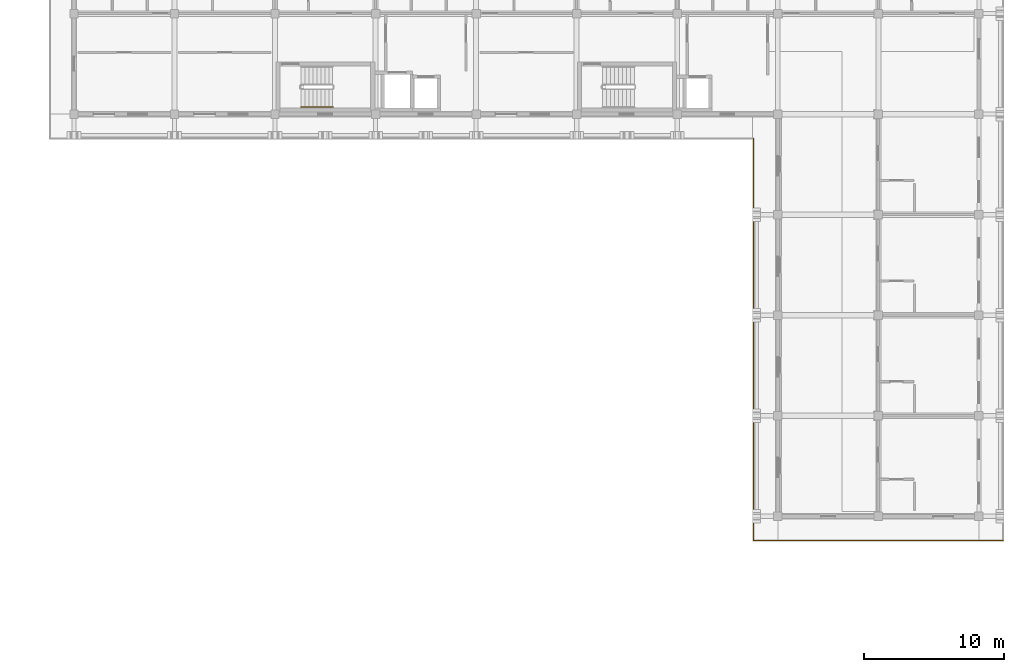
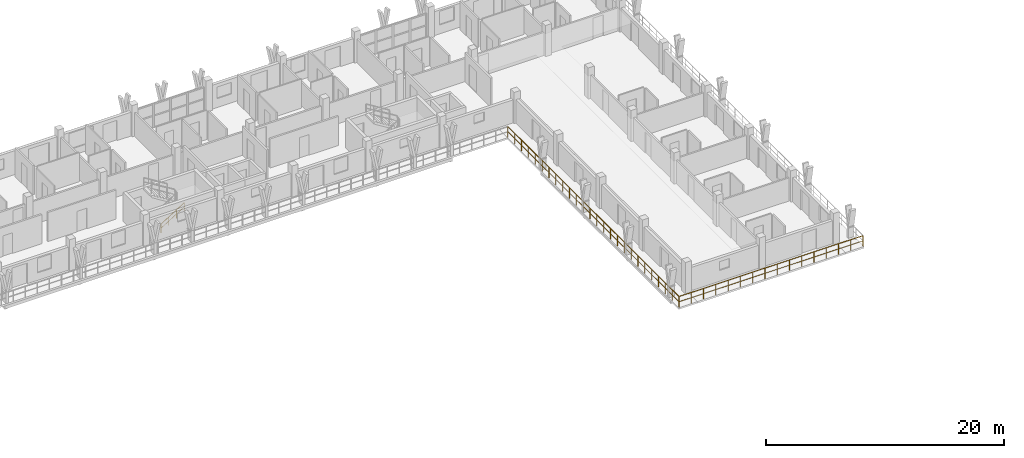
# One storey, part 73 of 76: 3 railings.
"""IFC4 building model written with IfcOpenShell, lengths in metres."""

from ifc_helpers import new_model, si_unit, direction, frame, origin, origin_2d, place, context, subcontext, project, spatial, rectangle, extrude, material, type_object, element, save


model = new_model("IFC4")

# Units and contexts
model_context = context("Model", 3, precision=1e-05, world=origin(), true_north=direction((0.0, 1.0)))
body_context = subcontext(model_context, "Body", "Model", "MODEL_VIEW")
ifc_project = project(units=[si_unit("LENGTHUNIT", "METRE"), si_unit("AREAUNIT", "SQUARE_METRE"), si_unit("VOLUMEUNIT", "CUBIC_METRE"), si_unit("PLANEANGLEUNIT", "RADIAN"), si_unit("MASSUNIT", "GRAM", prefix="KILO")], contexts=[model_context])

# Site, building, storey
site_placement = place(None, origin())
site = spatial("IfcSite", under=ifc_project, at=site_placement, CompositionType="ELEMENT")
building_placement = place(site_placement, origin())
building = spatial("IfcBuilding", under=site, at=building_placement, Name="Suanplinth Sawtooth Commons", CompositionType="ELEMENT")
storey_placement = place(building_placement, frame((0.0, 0.0, 12.199951171875)))
storey = spatial("IfcBuildingStorey", under=building, at=storey_placement, Name="L03", CompositionType="ELEMENT", Elevation=12.199951171875)

# Railings
ifc_material_1 = material(Name="Powder-coated galvanized steel", Category="steel")
railing_type_1 = type_object("IfcRailingType", Name="GR-01", PredefinedType="BALUSTRADE", material=ifc_material_1)
railing_1_placement = place(storey_placement, frame((171.06005859375, 77.4599609375, 0.0)))
element("IfcRailing", 1, at=railing_1_placement, inside=storey, type_object=railing_type_1, Name="L03 Block B Perimeter Balustrade 1", PredefinedType="BALUSTRADE", context=body_context, shape_type="SweptSolid", body=[
    extrude(rectangle(XDim=0.048095703125, YDim=0.048095703125, at=origin_2d()), frame((0.0, 0.0, 1.09619140625), z_axis=(0.0, 1.0, 0.0), x_axis=(-1.0, 0.0, 0.0)), (0.0, 0.0, 1.0), 28.800048828125),
    extrude(rectangle(XDim=0.03369140625, YDim=0.03369140625, at=origin_2d()), frame((0.0, 0.0, 0.56005859375), z_axis=(0.0, 1.0, 0.0), x_axis=(-1.0, 0.0, 0.0)), (0.0, 0.0, 1.0), 28.800048828125),
    extrude(rectangle(XDim=0.0419921875, YDim=0.0419921875, at=origin_2d()), origin(), (0.0, 0.0, 1.0), 1.072021484375),
    extrude(rectangle(XDim=0.0419921875, YDim=0.0419921875, at=origin_2d()), frame((0.0, 1.152099609375, 0.0)), (0.0, 0.0, 1.0), 1.072021484375),
    extrude(rectangle(XDim=0.0419921875, YDim=0.0419921875, at=origin_2d()), frame((0.0, 2.303955078125, 0.0)), (0.0, 0.0, 1.0), 1.072021484375),
    extrude(rectangle(XDim=0.0419921875, YDim=0.0419921875, at=origin_2d()), frame((0.0, 3.4560546875, 0.0)), (0.0, 0.0, 1.0), 1.072021484375),
    extrude(rectangle(XDim=0.0419921875, YDim=0.0419921875, at=origin_2d()), frame((0.0, 4.60791015625, 0.0)), (0.0, 0.0, 1.0), 1.072021484375),
    extrude(rectangle(XDim=0.0419921875, YDim=0.0419921875, at=origin_2d()), frame((0.0, 5.760009765625, 0.0)), (0.0, 0.0, 1.0), 1.072021484375),
    extrude(rectangle(XDim=0.0419921875, YDim=0.0419921875, at=origin_2d()), frame((0.0, 6.912109375, 0.0)), (0.0, 0.0, 1.0), 1.072021484375),
    extrude(rectangle(XDim=0.0419921875, YDim=0.0419921875, at=origin_2d()), frame((0.0, 8.06396484375, 0.0)), (0.0, 0.0, 1.0), 1.072021484375),
    extrude(rectangle(XDim=0.0419921875, YDim=0.0419921875, at=origin_2d()), frame((0.0, 9.216064453125, 0.0)), (0.0, 0.0, 1.0), 1.072021484375),
    extrude(rectangle(XDim=0.0419921875, YDim=0.0419921875, at=origin_2d()), frame((0.0, 10.367919921875, 0.0)), (0.0, 0.0, 1.0), 1.072021484375),
    extrude(rectangle(XDim=0.0419921875, YDim=0.0419921875, at=origin_2d()), frame((0.0, 11.52001953125, 0.0)), (0.0, 0.0, 1.0), 1.072021484375),
    extrude(rectangle(XDim=0.0419921875, YDim=0.0419921875, at=origin_2d()), frame((0.0, 12.672119140625, 0.0)), (0.0, 0.0, 1.0), 1.072021484375),
    extrude(rectangle(XDim=0.0419921875, YDim=0.0419921875, at=origin_2d()), frame((0.0, 13.823974609375, 0.0)), (0.0, 0.0, 1.0), 1.072021484375),
    extrude(rectangle(XDim=0.0419921875, YDim=0.0419921875, at=origin_2d()), frame((0.0, 14.97607421875, 0.0)), (0.0, 0.0, 1.0), 1.072021484375),
    extrude(rectangle(XDim=0.0419921875, YDim=0.0419921875, at=origin_2d()), frame((0.0, 16.1279296875, 0.0)), (0.0, 0.0, 1.0), 1.072021484375),
    extrude(rectangle(XDim=0.0419921875, YDim=0.0419921875, at=origin_2d()), frame((0.0, 17.280029296875, 0.0)), (0.0, 0.0, 1.0), 1.072021484375),
    extrude(rectangle(XDim=0.0419921875, YDim=0.0419921875, at=origin_2d()), frame((0.0, 18.43212890625, 0.0)), (0.0, 0.0, 1.0), 1.072021484375),
    extrude(rectangle(XDim=0.0419921875, YDim=0.0419921875, at=origin_2d()), frame((0.0, 19.583984375, 0.0)), (0.0, 0.0, 1.0), 1.072021484375),
    extrude(rectangle(XDim=0.0419921875, YDim=0.0419921875, at=origin_2d()), frame((0.0, 20.736083984375, 0.0)), (0.0, 0.0, 1.0), 1.072021484375),
    extrude(rectangle(XDim=0.0419921875, YDim=0.0419921875, at=origin_2d()), frame((0.0, 21.887939453125, 0.0)), (0.0, 0.0, 1.0), 1.072021484375),
    extrude(rectangle(XDim=0.0419921875, YDim=0.0419921875, at=origin_2d()), frame((0.0, 23.0400390625, 0.0)), (0.0, 0.0, 1.0), 1.072021484375),
    extrude(rectangle(XDim=0.0419921875, YDim=0.0419921875, at=origin_2d()), frame((0.0, 24.192138671875, 0.0)), (0.0, 0.0, 1.0), 1.072021484375),
    extrude(rectangle(XDim=0.0419921875, YDim=0.0419921875, at=origin_2d()), frame((0.0, 25.343994140625, 0.0)), (0.0, 0.0, 1.0), 1.072021484375),
    extrude(rectangle(XDim=0.0419921875, YDim=0.0419921875, at=origin_2d()), frame((0.0, 26.49609375, 0.0)), (0.0, 0.0, 1.0), 1.072021484375),
    extrude(rectangle(XDim=0.0419921875, YDim=0.0419921875, at=origin_2d()), frame((0.0, 27.64794921875, 0.0)), (0.0, 0.0, 1.0), 1.072021484375),
    extrude(rectangle(XDim=0.0419921875, YDim=0.0419921875, at=origin_2d()), frame((0.0, 28.800048828125, 0.0)), (0.0, 0.0, 1.0), 1.072021484375),
])
railing_2_placement = place(storey_placement, frame((188.93994140625, 77.4599609375, 0.0)))
element("IfcRailing", 2, at=railing_2_placement, inside=storey, type_object=railing_type_1, Name="L03 Block B Perimeter Balustrade 6", PredefinedType="BALUSTRADE", context=body_context, shape_type="SweptSolid", body=[
    extrude(rectangle(XDim=0.048095703125, YDim=0.048095703125, at=origin_2d()), frame((0.0, 0.0, 1.09619140625), z_axis=(-1.0, 0.0, 0.0), x_axis=(0.0, -1.0, 0.0)), (0.0, 0.0, 1.0), 17.8798828125),
    extrude(rectangle(XDim=0.03369140625, YDim=0.03369140625, at=origin_2d()), frame((0.0, 0.0, 0.56005859375), z_axis=(-1.0, 0.0, 0.0), x_axis=(0.0, -1.0, 0.0)), (0.0, 0.0, 1.0), 17.8798828125),
    extrude(rectangle(XDim=0.0419921875, YDim=0.0419921875, at=origin_2d()), origin(), (0.0, 0.0, 1.0), 1.072021484375),
    extrude(rectangle(XDim=0.0419921875, YDim=0.0419921875, at=origin_2d()), frame((-1.19189453125, 0.0, 0.0)), (0.0, 0.0, 1.0), 1.072021484375),
    extrude(rectangle(XDim=0.0419921875, YDim=0.0419921875, at=origin_2d()), frame((-2.384033203125, 0.0, 0.0)), (0.0, 0.0, 1.0), 1.072021484375),
    extrude(rectangle(XDim=0.0419921875, YDim=0.0419921875, at=origin_2d()), frame((-3.575927734375, 0.0, 0.0)), (0.0, 0.0, 1.0), 1.072021484375),
    extrude(rectangle(XDim=0.0419921875, YDim=0.0419921875, at=origin_2d()), frame((-4.76806640625, 0.0, 0.0)), (0.0, 0.0, 1.0), 1.072021484375),
    extrude(rectangle(XDim=0.0419921875, YDim=0.0419921875, at=origin_2d()), frame((-5.9599609375, 0.0, 0.0)), (0.0, 0.0, 1.0), 1.072021484375),
    extrude(rectangle(XDim=0.0419921875, YDim=0.0419921875, at=origin_2d()), frame((-7.15185546875, 0.0, 0.0)), (0.0, 0.0, 1.0), 1.072021484375),
    extrude(rectangle(XDim=0.0419921875, YDim=0.0419921875, at=origin_2d()), frame((-8.343994140625, 0.0, 0.0)), (0.0, 0.0, 1.0), 1.072021484375),
    extrude(rectangle(XDim=0.0419921875, YDim=0.0419921875, at=origin_2d()), frame((-9.535888671875, 0.0, 0.0)), (0.0, 0.0, 1.0), 1.072021484375),
    extrude(rectangle(XDim=0.0419921875, YDim=0.0419921875, at=origin_2d()), frame((-10.72802734375, 0.0, 0.0)), (0.0, 0.0, 1.0), 1.072021484375),
    extrude(rectangle(XDim=0.0419921875, YDim=0.0419921875, at=origin_2d()), frame((-11.919921875, 0.0, 0.0)), (0.0, 0.0, 1.0), 1.072021484375),
    extrude(rectangle(XDim=0.0419921875, YDim=0.0419921875, at=origin_2d()), frame((-13.11181640625, 0.0, 0.0)), (0.0, 0.0, 1.0), 1.072021484375),
    extrude(rectangle(XDim=0.0419921875, YDim=0.0419921875, at=origin_2d()), frame((-14.303955078125, 0.0, 0.0)), (0.0, 0.0, 1.0), 1.072021484375),
    extrude(rectangle(XDim=0.0419921875, YDim=0.0419921875, at=origin_2d()), frame((-15.495849609375, 0.0, 0.0)), (0.0, 0.0, 1.0), 1.072021484375),
    extrude(rectangle(XDim=0.0419921875, YDim=0.0419921875, at=origin_2d()), frame((-16.68798828125, 0.0, 0.0)), (0.0, 0.0, 1.0), 1.072021484375),
    extrude(rectangle(XDim=0.0419921875, YDim=0.0419921875, at=origin_2d()), frame((-17.8798828125, 0.0, 0.0)), (0.0, 0.0, 1.0), 1.072021484375),
])
ifc_material_2 = material(Name="Stainless steel Grade 304", Category="steel")
railing_type_2 = type_object("IfcRailingType", Name="HR-01", PredefinedType="HANDRAIL", material=ifc_material_2)
railing_3_placement = place(storey_placement, frame((138.64990234375, 108.5, 0.177734375)))
element("IfcRailing", 3, at=railing_3_placement, inside=storey, type_object=railing_type_2, Name="L03 ST-E1 Handrail 1", PredefinedType="HANDRAIL", context=body_context, shape_type="SweptSolid", body=[
    extrude(rectangle(XDim=0.048095703125, YDim=0.048095703125, at=origin_2d()), frame((0.0, 0.0, 0.8759765625), z_axis=(0.848442045328, 0.0, 0.529288291689), x_axis=(0.0, 1.0, 0.0)), (0.0, 0.0, 1.0), 2.687255859375),
    extrude(rectangle(XDim=0.03369140625, YDim=0.03369140625, at=origin_2d()), frame((0.0, 0.0, 0.449951171875), z_axis=(0.848442045328, 0.0, 0.529288291689), x_axis=(0.0, 1.0, 0.0)), (0.0, 0.0, 1.0), 2.687255859375),
    extrude(rectangle(XDim=0.0419921875, YDim=0.0419921875, at=origin_2d()), origin(), (0.0, 0.0, 1.0), 0.851806640625),
    extrude(rectangle(XDim=0.0419921875, YDim=0.0419921875, at=origin_2d()), frame((0.760009765625, 0.0, 0.47412109375)), (0.0, 0.0, 1.0), 0.851806640625),
    extrude(rectangle(XDim=0.0419921875, YDim=0.0419921875, at=origin_2d()), frame((1.52001953125, 0.0, 0.9482421875)), (0.0, 0.0, 1.0), 0.851806640625),
    extrude(rectangle(XDim=0.0419921875, YDim=0.0419921875, at=origin_2d()), frame((2.280029296875, 0.0, 1.42236328125)), (0.0, 0.0, 1.0), 0.851806640625),
])

save(model, "model.ifc")
